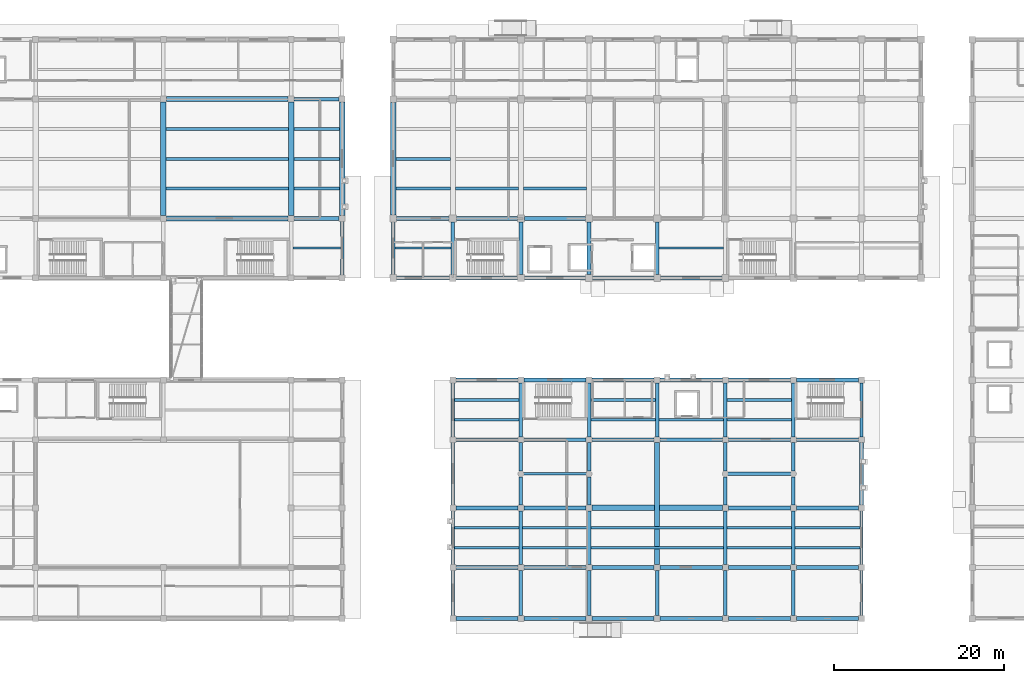
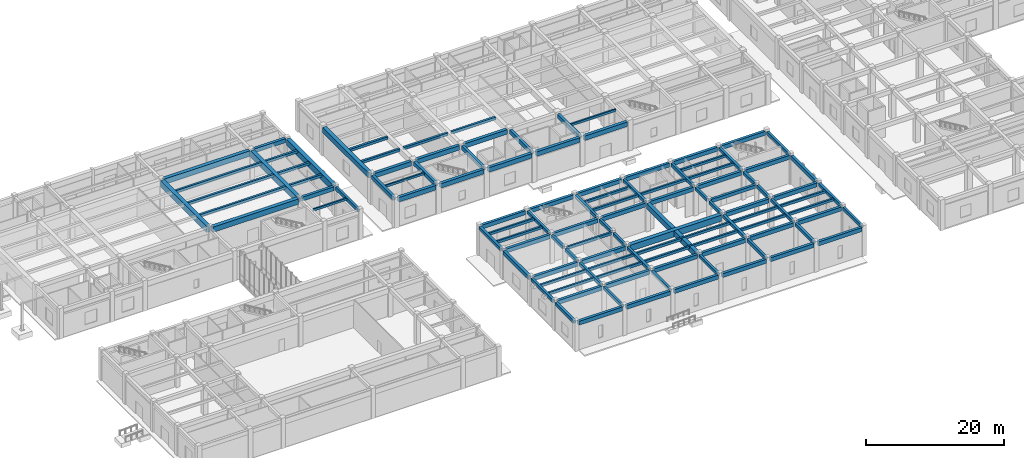
# One storey, part 9 of 40: 114 beams.
"""IFC4 building model written with IfcOpenShell, lengths in metres."""

import ifcopenshell
import ifcopenshell.guid

model = None  # the IFC model being written
_history = None  # IfcOwnerHistory: only IFC2X3 demands one
_inside = {}  # id of a spatial element -> (the spatial element, [elements in it])
_under = {}  # id of a project, library or spatial element -> (it, [spatial elements below it])
_declared = {}  # id of a project -> (the project, [libraries it declares])
_typed = {}  # id of a type object -> (the type object, [elements of that type])
_made_of = {}  # id of a material, layer set ... -> (it, [elements and type objects made of it])


def new_model(schema):
    """Start an empty IFC model of exactly this schema.

    Asked for "IFC4X3", IfcOpenShell would pick the latest addendum, in which some entities
    have other attributes; the version numbers below select the first issue.
    IFC2X3 requires an IfcOwnerHistory on every rooted entity: one is made here for all.
    """
    global model, _history
    if schema == "IFC4X3":
        model = ifcopenshell.file(schema_version=(4, 3, 0, 0))
    else:
        model = ifcopenshell.file(schema=schema)
    _inside.clear()
    _under.clear()
    _declared.clear()
    _typed.clear()
    _made_of.clear()
    _history = None
    if model.schema == "IFC2X3":
        org = make("IfcOrganization", Name="unknown")
        user = make(
            "IfcPersonAndOrganization",
            ThePerson=make("IfcPerson", FamilyName="unknown"),
            TheOrganization=org,
        )
        app = make(
            "IfcApplication",
            ApplicationDeveloper=org,
            Version="unknown",
            ApplicationFullName="unknown",
            ApplicationIdentifier="unknown",
        )
        _history = make(
            "IfcOwnerHistory",
            OwningUser=user,
            OwningApplication=app,
            ChangeAction="ADDED",
            CreationDate=0,
        )
    return model


def make(cls, **values):
    """One entity of the class cls with the attributes given. An attribute that is None is left unset."""
    return model.create_entity(
        cls, **{name: value for name, value in values.items() if value is not None}
    )


def rooted(cls, **values):
    """An entity with a GlobalId (a new one), such as an element, a storey or a relation."""
    return make(cls, GlobalId=ifcopenshell.guid.new(), OwnerHistory=_history, **values)


def si_unit(unit_type, name, prefix=None):
    """IfcSIUnit, for example si_unit("LENGTHUNIT", "METRE", prefix="MILLI")."""
    return make("IfcSIUnit", UnitType=unit_type, Prefix=prefix, Name=name)


def assignment(units):
    """IfcUnitAssignment: the units of a project."""
    return None if units is None else make("IfcUnitAssignment", Units=units)


def point(xyz):
    """IfcCartesianPoint."""
    return None if xyz is None else make("IfcCartesianPoint", Coordinates=xyz)


def direction(xyz):
    """IfcDirection."""
    return None if xyz is None else make("IfcDirection", DirectionRatios=xyz)


def frame(location, z_axis=None, x_axis=None):
    """IfcAxis2Placement3D, a coordinate frame: its origin and axes. An axis left out is left unset."""
    return make(
        "IfcAxis2Placement3D",
        Location=point(location),
        Axis=direction(z_axis),
        RefDirection=direction(x_axis),
    )


def frame_2d(location, x_axis=None):
    """IfcAxis2Placement2D, a coordinate frame in the plane: its origin and x axis."""
    return make(
        "IfcAxis2Placement2D", Location=point(location), RefDirection=direction(x_axis)
    )


def origin():
    """The frame at (0, 0, 0) with its axes left unset."""
    return frame((0.0, 0.0, 0.0))


def origin_2d():
    """The frame at (0, 0) in the plane with its x axis left unset."""
    return frame_2d((0.0, 0.0))


def place(relative_to, where):
    """IfcLocalPlacement: puts the frame where relative to a parent placement (None: the world)."""
    return make(
        "IfcLocalPlacement", PlacementRelTo=relative_to, RelativePlacement=where
    )


def context(
    kind, dimensions, precision=None, world=None, true_north=None, identifier=None
):
    """IfcGeometricRepresentationContext, for example the 3D "Model" context."""
    return make(
        "IfcGeometricRepresentationContext",
        ContextIdentifier=identifier,
        ContextType=kind,
        CoordinateSpaceDimension=dimensions,
        Precision=precision,
        WorldCoordinateSystem=world,
        TrueNorth=true_north,
    )


def subcontext(parent, identifier, kind, view, scale=None):
    """IfcGeometricRepresentationSubContext, for example "Body" below "Model"."""
    return make(
        "IfcGeometricRepresentationSubContext",
        ContextIdentifier=identifier,
        ContextType=kind,
        ParentContext=parent,
        TargetScale=scale,
        TargetView=view,
    )


def project(units=None, contexts=None):
    """IfcProject with its units and contexts."""
    return rooted(
        "IfcProject",
        Name="project",
        RepresentationContexts=contexts,
        UnitsInContext=assignment(units),
    )


def spatial(cls, under=None, at=None, **own):
    """A site, building, storey or space (cls), placed at a placement, below another one or the project."""
    s = rooted(cls, ObjectPlacement=at, **own)
    if under is not None:
        _under.setdefault(under.id(), (under, []))[1].append(s)
    return s


def profile(cls, at=None, kind="AREA", **sizes):
    """A parametric profile (cls). Its sizes go by their IFC names, for example OverallWidth=200.0."""
    return make(cls, ProfileType=kind, Position=at, **sizes)


def rectangle(**sizes):
    """IfcRectangleProfileDef."""
    return profile("IfcRectangleProfileDef", **sizes)


def extrude(swept, where, along, depth):
    """IfcExtrudedAreaSolid: the profile swept, set in the frame where, extruded along a direction by depth."""
    return make(
        "IfcExtrudedAreaSolid",
        SweptArea=swept,
        Position=where,
        ExtrudedDirection=direction(along),
        Depth=depth,
    )


def shape(context_of_items, identifier, shape_type, items):
    """IfcShapeRepresentation: the items that make up one representation, for example the "Body"."""
    return make(
        "IfcShapeRepresentation",
        ContextOfItems=context_of_items,
        RepresentationIdentifier=identifier,
        RepresentationType=shape_type,
        Items=items,
    )


def material(Name=None, Category=None):
    """IfcMaterial."""
    return make("IfcMaterial", Name=Name, Category=Category)


def material_profile(
    of_material, cross_section, Name=None, Category=None, Priority=None
):
    """IfcMaterialProfile: a cross section and its material."""
    return make(
        "IfcMaterialProfile",
        Name=Name,
        Material=of_material,
        Profile=cross_section,
        Priority=Priority,
        Category=Category,
    )


def profile_set(profiles, Name=None, composite=None):
    """IfcMaterialProfileSet."""
    return make(
        "IfcMaterialProfileSet",
        Name=Name,
        MaterialProfiles=profiles,
        CompositeProfile=composite,
    )


def made_of(thing, what):
    """Note that an element or type object is made of a material, layer set ...; save() writes the relation."""
    if what is not None:
        _made_of.setdefault(what.id(), (what, []))[1].append(thing)
    return thing


def type_object(cls, material=None, **own):
    """A type object (cls), such as IfcWallType, which elements share."""
    return made_of(rooted(cls, **own), material)


def element(
    cls,
    number,
    at=None,
    inside=None,
    cuts=None,
    type_object=None,
    material=None,
    context=None,
    identifier="Body",
    shape_type=None,
    held_by="IfcProductDefinitionShape",
    body=None,
    shapes=None,
    **own,
):
    """One element of the class cls, such as IfcWall. Its Tag is "e" and its number.

    at: its placement. inside: the storey or other place that contains it. cuts: it is an
    opening in that element (IfcRelVoidsElement). A single representation is given by context,
    identifier, shape_type and body (its items); several are given by shapes. held_by: the class
    of the entity that holds the representations. save() writes the other relations.
    """
    e = rooted(cls, Tag="e%d" % number, ObjectPlacement=at, **own)
    if body is not None:
        shapes = [shape(context, identifier, shape_type, body)]
    if shapes is not None:
        e.Representation = make(held_by, Representations=shapes)
    if inside is not None:
        _inside.setdefault(inside.id(), (inside, []))[1].append(e)
    if cuts is not None:
        rooted(
            "IfcRelVoidsElement", RelatingBuildingElement=cuts, RelatedOpeningElement=e
        )
    if type_object is not None:
        _typed.setdefault(type_object.id(), (type_object, []))[1].append(e)
    return made_of(e, material)


def aggregate(whole, parts):
    """IfcRelAggregates: a whole, such as a stair, and the parts it consists of."""
    return rooted("IfcRelAggregates", RelatingObject=whole, RelatedObjects=parts)


def save(model, path):
    """Write the relations noted so far, then the file.

    IfcRelAggregates (storeys below a building ...), IfcRelContainedInSpatialStructure (elements
    in a storey), IfcRelDefinesByType, IfcRelAssociatesMaterial and IfcRelDeclares: one each for
    every whole, place, type object, material and project.
    """
    for whole, parts in _under.values():
        aggregate(whole, parts)
    for where, things in _inside.values():
        rooted(
            "IfcRelContainedInSpatialStructure",
            RelatedElements=things,
            RelatingStructure=where,
        )
    for kind, things in _typed.values():
        rooted("IfcRelDefinesByType", RelatedObjects=things, RelatingType=kind)
    for what, things in _made_of.values():
        rooted("IfcRelAssociatesMaterial", RelatedObjects=things, RelatingMaterial=what)
    for by, libraries in _declared.values():
        rooted("IfcRelDeclares", RelatingContext=by, RelatedDefinitions=libraries)
    model.write(path)


model = new_model("IFC4")

# Units and contexts
model_context = context("Model", 3, precision=1e-05, world=origin(), true_north=direction((0.0, 1.0)))
body_context = subcontext(model_context, "Body", "Model", "MODEL_VIEW")
ifc_project = project(units=[si_unit("LENGTHUNIT", "METRE"), si_unit("AREAUNIT", "SQUARE_METRE"), si_unit("VOLUMEUNIT", "CUBIC_METRE"), si_unit("PLANEANGLEUNIT", "RADIAN"), si_unit("MASSUNIT", "GRAM", prefix="KILO")], contexts=[model_context])

# Site, building, storey
site_placement = place(None, origin())
site = spatial("IfcSite", under=ifc_project, at=site_placement, CompositionType="ELEMENT")
building_placement = place(site_placement, origin())
building = spatial("IfcBuilding", under=site, at=building_placement, Name="Naurynzar Civic Courthouse", CompositionType="ELEMENT")
storey_placement = place(building_placement, origin())
storey = spatial("IfcBuildingStorey", under=building, at=storey_placement, Name="L01", CompositionType="ELEMENT", Elevation=0.0)

# Beams
ifc_material_1 = material(Name="Concrete C40/50", Category="concrete")
ifc_material_profile_1 = material_profile(ifc_material_1, rectangle(XDim=0.25, YDim=0.39990234375, at=origin_2d()), Name="RCB 250x400")
ifc_profile_set_1 = profile_set([ifc_material_profile_1], Name="Concrete C40/50")
beam_type_1 = type_object("IfcBeamType", Name="BM-JST-250x400", PredefinedType="JOIST", material=ifc_profile_set_1)
beam_1_placement = place(storey_placement, frame((50.199951171875, 47.5, 4.929931640625), z_axis=(1.0, 0.0, 0.0), x_axis=(0.0, 1.0, 0.0)))
element("IfcBeam", 1, at=beam_1_placement, inside=storey, type_object=beam_type_1, Name="V1 secondary rib 96 L01", PredefinedType="JOIST", context=body_context, shape_type="SweptSolid", body=[
    extrude(rectangle(XDim=0.25, YDim=0.39990234375, at=origin_2d()), origin(), (0.0, 0.0, 1.0), 5.60009765625),
])
beam_2_placement = place(storey_placement, frame((62.22509765625, 47.5, 4.89990234375), z_axis=(1.0, 0.0, 0.0), x_axis=(0.0, 1.0, 0.0)))
element("IfcBeam", 2, at=beam_2_placement, inside=storey, type_object=beam_type_1, Name="V2 secondary rib 432 L01", PredefinedType="JOIST", context=body_context, shape_type="SweptSolid", body=[
    extrude(rectangle(XDim=0.25, YDim=0.39990234375, at=origin_2d()), origin(), (0.0, 0.0, 1.0), 6.5498046875),
])
beam_3_placement = place(storey_placement, frame((93.22509765625, 47.5, 4.89990234375), z_axis=(1.0, 0.0, 0.0), x_axis=(0.0, 1.0, 0.0)))
element("IfcBeam", 3, at=beam_3_placement, inside=storey, type_object=beam_type_1, Name="V2 secondary rib 433 L01", PredefinedType="JOIST", context=body_context, shape_type="SweptSolid", body=[
    extrude(rectangle(XDim=0.25, YDim=0.39990234375, at=origin_2d()), origin(), (0.0, 0.0, 1.0), 7.5498046875),
])
ifc_material_2 = material(Name="Concrete C40/50", Category="concrete")
ifc_material_profile_2 = material_profile(ifc_material_2, rectangle(XDim=0.300048828125, YDim=0.449951171875, at=origin_2d()), Name="RCJ 300x450")
ifc_profile_set_2 = profile_set([ifc_material_profile_2], Name="Concrete C40/50")
beam_type_2 = type_object("IfcBeamType", Name="BM-JST-300x450", PredefinedType="JOIST", material=ifc_profile_set_2)
for number, where, z_axis, x_axis, name in (
    (4, (69.199951171875, 12.333251953125, 4.8349609375), (1.0, 0.0, 0.0), (0.0, 1.0, 0.0), "V3 secondary rib 1323 L01"),
    (5, (69.199951171875, 14.666748046875, 4.8349609375), (1.0, 0.0, 0.0), (0.0, 1.0, 0.0), "V3 secondary rib 1324 L01"),
    (6, (77.199951171875, 12.333251953125, 4.8349609375), (1.0, 0.0, 0.0), (0.0, 1.0, 0.0), "V3 secondary rib 1325 L01"),
    (7, (77.199951171875, 14.666748046875, 4.8349609375), (1.0, 0.0, 0.0), (0.0, 1.0, 0.0), "V3 secondary rib 1326 L01"),
):
    element("IfcBeam", number, at=place(storey_placement, frame(where, z_axis=z_axis, x_axis=x_axis)), inside=storey, type_object=beam_type_2, Name=name, PredefinedType="JOIST", context=body_context, shape_type="SweptSolid", body=[
        extrude(rectangle(XDim=0.300048828125, YDim=0.449951171875, at=origin_2d()), origin(), (0.0, 0.0, 1.0), 7.60009765625),
    ])
for number, where, z_axis, x_axis, name in (
    (8, (85.199951171875, 12.333251953125, 4.8349609375), (1.0, 0.0, 0.0), (0.0, 1.0, 0.0), "V3 secondary rib 1327 L01"),
    (9, (85.199951171875, 14.666748046875, 4.8349609375), (1.0, 0.0, 0.0), (0.0, 1.0, 0.0), "V3 secondary rib 1328 L01"),
):
    element("IfcBeam", number, at=place(storey_placement, frame(where, z_axis=z_axis, x_axis=x_axis)), inside=storey, type_object=beam_type_2, Name=name, PredefinedType="JOIST", context=body_context, shape_type="SweptSolid", body=[
        extrude(rectangle(XDim=0.300048828125, YDim=0.449951171875, at=origin_2d()), origin(), (0.0, 0.0, 1.0), 15.60009765625),
    ])
for number, where, z_axis, x_axis, name in (
    (10, (101.199951171875, 12.333251953125, 4.8349609375), (1.0, 0.0, 0.0), (0.0, 1.0, 0.0), "V3 secondary rib 1329 L01"),
    (11, (101.199951171875, 14.666748046875, 4.8349609375), (1.0, 0.0, 0.0), (0.0, 1.0, 0.0), "V3 secondary rib 1330 L01"),
    (12, (109.199951171875, 12.333251953125, 4.8349609375), (1.0, 0.0, 0.0), (0.0, 1.0, 0.0), "V3 secondary rib 1331 L01"),
    (13, (109.199951171875, 14.666748046875, 4.8349609375), (1.0, 0.0, 0.0), (0.0, 1.0, 0.0), "V3 secondary rib 1332 L01"),
    (14, (69.199951171875, 27.333251953125, 4.8349609375), (1.0, 0.0, 0.0), (0.0, 1.0, 0.0), "V3 secondary rib 1333 L01"),
    (15, (69.199951171875, 29.666748046875, 4.8349609375), (1.0, 0.0, 0.0), (0.0, 1.0, 0.0), "V3 secondary rib 1334 L01"),
    (16, (85.199951171875, 27.333251953125, 4.8349609375), (1.0, 0.0, 0.0), (0.0, 1.0, 0.0), "V3 secondary rib 1335 L01"),
    (17, (85.199951171875, 29.666748046875, 4.8349609375), (1.0, 0.0, 0.0), (0.0, 1.0, 0.0), "V3 secondary rib 1336 L01"),
    (18, (93.199951171875, 27.333251953125, 4.8349609375), (1.0, 0.0, 0.0), (0.0, 1.0, 0.0), "V3 secondary rib 1337 L01"),
    (19, (101.199951171875, 27.333251953125, 4.8349609375), (1.0, 0.0, 0.0), (0.0, 1.0, 0.0), "V3 secondary rib 1338 L01"),
    (20, (101.199951171875, 29.666748046875, 4.8349609375), (1.0, 0.0, 0.0), (0.0, 1.0, 0.0), "V3 secondary rib 1339 L01"),
):
    element("IfcBeam", number, at=place(storey_placement, frame(where, z_axis=z_axis, x_axis=x_axis)), inside=storey, type_object=beam_type_2, Name=name, PredefinedType="JOIST", context=body_context, shape_type="SweptSolid", body=[
        extrude(rectangle(XDim=0.300048828125, YDim=0.449951171875, at=origin_2d()), origin(), (0.0, 0.0, 1.0), 7.60009765625),
    ])
ifc_material_3 = material(Name="Concrete C40/50", Category="concrete")
ifc_material_profile_3 = material_profile(ifc_material_3, rectangle(XDim=0.300048828125, YDim=0.47509765625, at=origin_2d()), Name="RCB 300x475")
ifc_profile_set_3 = profile_set([ifc_material_profile_3], Name="Concrete C40/50")
beam_type_3 = type_object("IfcBeamType", Name="BM-LNT-300x475", PredefinedType="LINTEL", material=ifc_profile_set_3)
beam_4_placement = place(storey_placement, frame((77.25, 21.0, 4.822509765625), z_axis=(1.0, 0.0, 0.0), x_axis=(0.0, 1.0, 0.0)))
element("IfcBeam", 21, at=beam_4_placement, inside=storey, type_object=beam_type_3, Name="Law Library spine lintel beam 3", PredefinedType="LINTEL", context=body_context, shape_type="SweptSolid", body=[
    extrude(rectangle(XDim=0.300048828125, YDim=0.47509765625, at=origin_2d()), origin(), (0.0, 0.0, 1.0), 7.5),
])
ifc_material_4 = material(Name="Concrete C40/50", Category="concrete")
ifc_material_profile_4 = material_profile(ifc_material_4, rectangle(XDim=0.39990234375, YDim=0.60009765625, at=origin_2d()), Name="RCL 400x600")
ifc_profile_set_4 = profile_set([ifc_material_profile_4], Name="Concrete C40/50")
beam_type_4 = type_object("IfcBeamType", Name="BM-LNT-400x600", PredefinedType="LINTEL", material=ifc_profile_set_4)
beam_5_placement = place(storey_placement, frame((101.25, 21.0, 4.760009765625), z_axis=(1.0, 0.0, 0.0), x_axis=(0.0, 1.0, 0.0)))
element("IfcBeam", 22, at=beam_5_placement, inside=storey, type_object=beam_type_4, Name="Law Library spine lintel beam 4", PredefinedType="LINTEL", context=body_context, shape_type="SweptSolid", body=[
    extrude(rectangle(XDim=0.39990234375, YDim=0.60009765625, at=origin_2d()), origin(), (0.0, 0.0, 1.0), 7.5),
])
ifc_material_5 = material(Name="Concrete C40/50", Category="concrete")
ifc_material_profile_5 = material_profile(ifc_material_5, rectangle(XDim=0.60009765625, YDim=0.949951171875, at=origin_2d()), Name="PTB 600x950")
ifc_profile_set_5 = profile_set([ifc_material_profile_5], Name="Concrete C40/50")
beam_type_5 = type_object("IfcBeamType", Name="BM-PT-600x950", PredefinedType="T_BEAM", material=ifc_profile_set_5)
for number, where, z_axis, x_axis, name in (
    (23, (35.35009765625, 51.0, 4.655029296875), (1.0, 0.0, 0.0), (0.0, 1.0, 0.0), "V1 beam X-66 L01"),
    (24, (35.35009765625, 65.0, 4.655029296875), (1.0, 0.0, 0.0), (0.0, 1.0, 0.0), "V1 beam X-71 L01"),
):
    element("IfcBeam", number, at=place(storey_placement, frame(where, z_axis=z_axis, x_axis=x_axis)), inside=storey, type_object=beam_type_5, Name=name, PredefinedType="T_BEAM", context=body_context, shape_type="SweptSolid", body=[
        extrude(rectangle(XDim=0.60009765625, YDim=0.949951171875, at=origin_2d()), origin(), (0.0, 0.0, 1.0), 14.2998046875),
    ])
beam_6_placement = place(storey_placement, frame((62.0, 51.39990234375, 4.625), z_axis=(0.0, 1.0, 0.0), x_axis=(-1.0, 0.0, 0.0)))
element("IfcBeam", 25, at=beam_6_placement, inside=storey, type_object=beam_type_5, Name="V2 girder Y-406 L01", PredefinedType="T_BEAM", context=body_context, shape_type="SweptSolid", body=[
    extrude(rectangle(XDim=0.60009765625, YDim=0.949951171875, at=origin_2d()), origin(), (0.0, 0.0, 1.0), 13.2001953125),
])
beam_7_placement = place(storey_placement, frame((93.0, 10.35009765625, 4.5849609375), z_axis=(0.0, 1.0, 0.0), x_axis=(-1.0, 0.0, 0.0)))
element("IfcBeam", 26, at=beam_7_placement, inside=storey, type_object=beam_type_5, Name="V3 girder Y-1307 L01", PredefinedType="T_BEAM", context=body_context, shape_type="SweptSolid", body=[
    extrude(rectangle(XDim=0.60009765625, YDim=0.949951171875, at=origin_2d()), origin(), (0.0, 0.0, 1.0), 14.2998046875),
])
ifc_material_6 = material(Name="Concrete C40/50", Category="concrete")
ifc_material_profile_6 = material_profile(ifc_material_6, rectangle(XDim=0.64990234375, YDim=1.10009765625, at=origin_2d()), Name="PTB 650x1100")
ifc_profile_set_6 = profile_set([ifc_material_profile_6], Name="Concrete C40/50")
beam_type_6 = type_object("IfcBeamType", Name="BM-PT-650x1100", PredefinedType="T_BEAM", material=ifc_profile_set_6)
for number, where, z_axis, x_axis, name in (
    (27, (35.0, 51.35009765625, 4.580078125), (0.0, 1.0, 0.0), (-1.0, 0.0, 0.0), "V1 girder Y-88 L01"),
    (28, (50.0, 51.35009765625, 4.580078125), (0.0, 1.0, 0.0), (-1.0, 0.0, 0.0), "V1 girder Y-91 L01"),
    (29, (56.0, 51.35009765625, 4.580078125), (0.0, 1.0, 0.0), (-1.0, 0.0, 0.0), "V1 girder Y-94 L01"),
):
    element("IfcBeam", number, at=place(storey_placement, frame(where, z_axis=z_axis, x_axis=x_axis)), inside=storey, type_object=beam_type_6, Name=name, PredefinedType="T_BEAM", context=body_context, shape_type="SweptSolid", body=[
        extrude(rectangle(XDim=0.64990234375, YDim=1.10009765625, at=origin_2d()), origin(), (0.0, 0.0, 1.0), 13.2998046875),
    ])
beam_8_placement = place(storey_placement, frame((85.35009765625, 17.0, 4.510009765625), z_axis=(1.0, 0.0, 0.0), x_axis=(0.0, 1.0, 0.0)))
element("IfcBeam", 30, at=beam_8_placement, inside=storey, type_object=beam_type_6, Name="V3 beam X-1277 L01", PredefinedType="T_BEAM", context=body_context, shape_type="SweptSolid", body=[
    extrude(rectangle(XDim=0.64990234375, YDim=1.10009765625, at=origin_2d()), origin(), (0.0, 0.0, 1.0), 15.2998046875),
])
ifc_material_7 = material(Name="Concrete C40/50", Category="concrete")
ifc_material_profile_7 = material_profile(ifc_material_7, rectangle(XDim=0.35009765625, YDim=0.449951171875, at=origin_2d()), Name="RCB 350x450")
ifc_profile_set_7 = profile_set([ifc_material_profile_7], Name="Concrete C40/50")
beam_type_7 = type_object("IfcBeamType", Name="BM-RC-350x450", PredefinedType="BEAM", material=ifc_profile_set_7)
for number, where, z_axis, x_axis, name in (
    (31, (35.324951171875, 54.5, 4.905029296875), (1.0, 0.0, 0.0), (0.0, 1.0, 0.0), "V1 secondary rib 106 L01"),
    (32, (35.324951171875, 58.0, 4.905029296875), (1.0, 0.0, 0.0), (0.0, 1.0, 0.0), "V1 secondary rib 107 L01"),
    (33, (35.324951171875, 61.5, 4.905029296875), (1.0, 0.0, 0.0), (0.0, 1.0, 0.0), "V1 secondary rib 108 L01"),
):
    element("IfcBeam", number, at=place(storey_placement, frame(where, z_axis=z_axis, x_axis=x_axis)), inside=storey, type_object=beam_type_7, Name=name, PredefinedType="BEAM", context=body_context, shape_type="SweptSolid", body=[
        extrude(rectangle(XDim=0.35009765625, YDim=0.449951171875, at=origin_2d()), origin(), (0.0, 0.0, 1.0), 14.35009765625),
    ])
for number, where, z_axis, x_axis, name in (
    (34, (50.324951171875, 54.5, 4.905029296875), (1.0, 0.0, 0.0), (0.0, 1.0, 0.0), "V1 secondary rib 109 L01"),
    (35, (50.324951171875, 58.0, 4.905029296875), (1.0, 0.0, 0.0), (0.0, 1.0, 0.0), "V1 secondary rib 110 L01"),
    (36, (50.324951171875, 61.5, 4.905029296875), (1.0, 0.0, 0.0), (0.0, 1.0, 0.0), "V1 secondary rib 111 L01"),
):
    element("IfcBeam", number, at=place(storey_placement, frame(where, z_axis=z_axis, x_axis=x_axis)), inside=storey, type_object=beam_type_7, Name=name, PredefinedType="BEAM", context=body_context, shape_type="SweptSolid", body=[
        extrude(rectangle(XDim=0.35009765625, YDim=0.449951171875, at=origin_2d()), origin(), (0.0, 0.0, 1.0), 5.35009765625),
    ])
for number, where, z_axis, x_axis, name in (
    (37, (62.300048828125, 54.5, 4.875), (1.0, 0.0, 0.0), (0.0, 1.0, 0.0), "V2 secondary rib 436 L01"),
    (38, (62.300048828125, 58.0, 4.875), (1.0, 0.0, 0.0), (0.0, 1.0, 0.0), "V2 secondary rib 437 L01"),
):
    element("IfcBeam", number, at=place(storey_placement, frame(where, z_axis=z_axis, x_axis=x_axis)), inside=storey, type_object=beam_type_7, Name=name, PredefinedType="BEAM", context=body_context, shape_type="SweptSolid", body=[
        extrude(rectangle(XDim=0.35009765625, YDim=0.449951171875, at=origin_2d()), origin(), (0.0, 0.0, 1.0), 6.39990234375),
    ])
for number, where, z_axis, x_axis, name in (
    (39, (69.300048828125, 54.5, 4.875), (1.0, 0.0, 0.0), (0.0, 1.0, 0.0), "V2 secondary rib 439 L01"),
    (40, (77.300048828125, 54.5, 4.875), (1.0, 0.0, 0.0), (0.0, 1.0, 0.0), "V2 secondary rib 442 L01"),
):
    element("IfcBeam", number, at=place(storey_placement, frame(where, z_axis=z_axis, x_axis=x_axis)), inside=storey, type_object=beam_type_7, Name=name, PredefinedType="BEAM", context=body_context, shape_type="SweptSolid", body=[
        extrude(rectangle(XDim=0.35009765625, YDim=0.449951171875, at=origin_2d()), origin(), (0.0, 0.0, 1.0), 7.39990234375),
    ])
ifc_material_8 = material(Name="Concrete C40/50", Category="concrete")
ifc_material_profile_8 = material_profile(ifc_material_8, rectangle(XDim=0.39990234375, YDim=0.550048828125, at=origin_2d()), Name="RCB 400x550")
ifc_profile_set_8 = profile_set([ifc_material_profile_8], Name="Concrete C40/50")
beam_type_8 = type_object("IfcBeamType", Name="BM-RC-400x550", PredefinedType="BEAM", material=ifc_profile_set_8)
beam_9_placement = place(storey_placement, frame((69.0, 4.35009765625, 4.784912109375), z_axis=(0.0, 1.0, 0.0), x_axis=(-1.0, 0.0, 0.0)))
element("IfcBeam", 41, at=beam_9_placement, inside=storey, type_object=beam_type_8, Name="V3 girder Y-1292 L01", PredefinedType="BEAM", context=body_context, shape_type="SweptSolid", body=[
    extrude(rectangle(XDim=0.39990234375, YDim=0.550048828125, at=origin_2d()), origin(), (0.0, 0.0, 1.0), 5.2998046875),
])
for number, where, z_axis, x_axis, name in (
    (42, (69.0, 10.35009765625, 4.784912109375), (0.0, 1.0, 0.0), (-1.0, 0.0, 0.0), "V3 girder Y-1293 L01"),
    (43, (69.0, 25.35009765625, 4.784912109375), (0.0, 1.0, 0.0), (-1.0, 0.0, 0.0), "V3 girder Y-1295 L01"),
):
    element("IfcBeam", number, at=place(storey_placement, frame(where, z_axis=z_axis, x_axis=x_axis)), inside=storey, type_object=beam_type_8, Name=name, PredefinedType="BEAM", context=body_context, shape_type="SweptSolid", body=[
        extrude(rectangle(XDim=0.39990234375, YDim=0.550048828125, at=origin_2d()), origin(), (0.0, 0.0, 1.0), 6.2998046875),
    ])
beam_10_placement = place(storey_placement, frame((77.0, 4.35009765625, 4.784912109375), z_axis=(0.0, 1.0, 0.0), x_axis=(-1.0, 0.0, 0.0)))
element("IfcBeam", 44, at=beam_10_placement, inside=storey, type_object=beam_type_8, Name="V3 girder Y-1296 L01", PredefinedType="BEAM", context=body_context, shape_type="SweptSolid", body=[
    extrude(rectangle(XDim=0.39990234375, YDim=0.550048828125, at=origin_2d()), origin(), (0.0, 0.0, 1.0), 5.2998046875),
])
beam_11_placement = place(storey_placement, frame((77.0, 10.35009765625, 4.784912109375), z_axis=(0.0, 1.0, 0.0), x_axis=(-1.0, 0.0, 0.0)))
element("IfcBeam", 45, at=beam_11_placement, inside=storey, type_object=beam_type_8, Name="V3 girder Y-1297 L01", PredefinedType="BEAM", context=body_context, shape_type="SweptSolid", body=[
    extrude(rectangle(XDim=0.39990234375, YDim=0.550048828125, at=origin_2d()), origin(), (0.0, 0.0, 1.0), 6.2998046875),
])
for number, where, z_axis, x_axis, name in (
    (46, (77.0, 17.35009765625, 4.784912109375), (0.0, 1.0, 0.0), (-1.0, 0.0, 0.0), "V3 girder Y-1298 L01"),
    (47, (77.0, 21.35009765625, 4.784912109375), (0.0, 1.0, 0.0), (-1.0, 0.0, 0.0), "V3 girder Y-1299 L01"),
):
    element("IfcBeam", number, at=place(storey_placement, frame(where, z_axis=z_axis, x_axis=x_axis)), inside=storey, type_object=beam_type_8, Name=name, PredefinedType="BEAM", context=body_context, shape_type="SweptSolid", body=[
        extrude(rectangle(XDim=0.39990234375, YDim=0.550048828125, at=origin_2d()), origin(), (0.0, 0.0, 1.0), 3.2998046875),
    ])
beam_12_placement = place(storey_placement, frame((77.0, 25.35009765625, 4.784912109375), z_axis=(0.0, 1.0, 0.0), x_axis=(-1.0, 0.0, 0.0)))
element("IfcBeam", 48, at=beam_12_placement, inside=storey, type_object=beam_type_8, Name="V3 girder Y-1300 L01", PredefinedType="BEAM", context=body_context, shape_type="SweptSolid", body=[
    extrude(rectangle(XDim=0.39990234375, YDim=0.550048828125, at=origin_2d()), origin(), (0.0, 0.0, 1.0), 6.2998046875),
])
beam_13_placement = place(storey_placement, frame((85.0, 4.35009765625, 4.784912109375), z_axis=(0.0, 1.0, 0.0), x_axis=(-1.0, 0.0, 0.0)))
element("IfcBeam", 49, at=beam_13_placement, inside=storey, type_object=beam_type_8, Name="V3 girder Y-1301 L01", PredefinedType="BEAM", context=body_context, shape_type="SweptSolid", body=[
    extrude(rectangle(XDim=0.39990234375, YDim=0.550048828125, at=origin_2d()), origin(), (0.0, 0.0, 1.0), 5.2998046875),
])
beam_14_placement = place(storey_placement, frame((85.0, 10.35009765625, 4.784912109375), z_axis=(0.0, 1.0, 0.0), x_axis=(-1.0, 0.0, 0.0)))
element("IfcBeam", 50, at=beam_14_placement, inside=storey, type_object=beam_type_8, Name="V3 girder Y-1302 L01", PredefinedType="BEAM", context=body_context, shape_type="SweptSolid", body=[
    extrude(rectangle(XDim=0.39990234375, YDim=0.550048828125, at=origin_2d()), origin(), (0.0, 0.0, 1.0), 6.2998046875),
])
for number, where, z_axis, x_axis, name in (
    (51, (85.0, 17.35009765625, 4.784912109375), (0.0, 1.0, 0.0), (-1.0, 0.0, 0.0), "V3 girder Y-1303 L01"),
    (52, (85.0, 21.35009765625, 4.784912109375), (0.0, 1.0, 0.0), (-1.0, 0.0, 0.0), "V3 girder Y-1304 L01"),
):
    element("IfcBeam", number, at=place(storey_placement, frame(where, z_axis=z_axis, x_axis=x_axis)), inside=storey, type_object=beam_type_8, Name=name, PredefinedType="BEAM", context=body_context, shape_type="SweptSolid", body=[
        extrude(rectangle(XDim=0.39990234375, YDim=0.550048828125, at=origin_2d()), origin(), (0.0, 0.0, 1.0), 3.2998046875),
    ])
beam_15_placement = place(storey_placement, frame((85.0, 25.35009765625, 4.784912109375), z_axis=(0.0, 1.0, 0.0), x_axis=(-1.0, 0.0, 0.0)))
element("IfcBeam", 53, at=beam_15_placement, inside=storey, type_object=beam_type_8, Name="V3 girder Y-1305 L01", PredefinedType="BEAM", context=body_context, shape_type="SweptSolid", body=[
    extrude(rectangle(XDim=0.39990234375, YDim=0.550048828125, at=origin_2d()), origin(), (0.0, 0.0, 1.0), 6.2998046875),
])
beam_16_placement = place(storey_placement, frame((93.0, 4.35009765625, 4.784912109375), z_axis=(0.0, 1.0, 0.0), x_axis=(-1.0, 0.0, 0.0)))
element("IfcBeam", 54, at=beam_16_placement, inside=storey, type_object=beam_type_8, Name="V3 girder Y-1306 L01", PredefinedType="BEAM", context=body_context, shape_type="SweptSolid", body=[
    extrude(rectangle(XDim=0.39990234375, YDim=0.550048828125, at=origin_2d()), origin(), (0.0, 0.0, 1.0), 5.2998046875),
])
beam_17_placement = place(storey_placement, frame((93.0, 25.35009765625, 4.784912109375), z_axis=(0.0, 1.0, 0.0), x_axis=(-1.0, 0.0, 0.0)))
element("IfcBeam", 55, at=beam_17_placement, inside=storey, type_object=beam_type_8, Name="V3 girder Y-1308 L01", PredefinedType="BEAM", context=body_context, shape_type="SweptSolid", body=[
    extrude(rectangle(XDim=0.39990234375, YDim=0.550048828125, at=origin_2d()), origin(), (0.0, 0.0, 1.0), 6.2998046875),
])
beam_18_placement = place(storey_placement, frame((101.0, 4.35009765625, 4.784912109375), z_axis=(0.0, 1.0, 0.0), x_axis=(-1.0, 0.0, 0.0)))
element("IfcBeam", 56, at=beam_18_placement, inside=storey, type_object=beam_type_8, Name="V3 girder Y-1309 L01", PredefinedType="BEAM", context=body_context, shape_type="SweptSolid", body=[
    extrude(rectangle(XDim=0.39990234375, YDim=0.550048828125, at=origin_2d()), origin(), (0.0, 0.0, 1.0), 5.2998046875),
])
beam_19_placement = place(storey_placement, frame((101.0, 10.35009765625, 4.784912109375), z_axis=(0.0, 1.0, 0.0), x_axis=(-1.0, 0.0, 0.0)))
element("IfcBeam", 57, at=beam_19_placement, inside=storey, type_object=beam_type_8, Name="V3 girder Y-1310 L01", PredefinedType="BEAM", context=body_context, shape_type="SweptSolid", body=[
    extrude(rectangle(XDim=0.39990234375, YDim=0.550048828125, at=origin_2d()), origin(), (0.0, 0.0, 1.0), 6.2998046875),
])
for number, where, z_axis, x_axis, name in (
    (58, (101.0, 17.35009765625, 4.784912109375), (0.0, 1.0, 0.0), (-1.0, 0.0, 0.0), "V3 girder Y-1311 L01"),
    (59, (101.0, 21.35009765625, 4.784912109375), (0.0, 1.0, 0.0), (-1.0, 0.0, 0.0), "V3 girder Y-1312 L01"),
):
    element("IfcBeam", number, at=place(storey_placement, frame(where, z_axis=z_axis, x_axis=x_axis)), inside=storey, type_object=beam_type_8, Name=name, PredefinedType="BEAM", context=body_context, shape_type="SweptSolid", body=[
        extrude(rectangle(XDim=0.39990234375, YDim=0.550048828125, at=origin_2d()), origin(), (0.0, 0.0, 1.0), 3.2998046875),
    ])
beam_20_placement = place(storey_placement, frame((101.0, 25.35009765625, 4.784912109375), z_axis=(0.0, 1.0, 0.0), x_axis=(-1.0, 0.0, 0.0)))
element("IfcBeam", 60, at=beam_20_placement, inside=storey, type_object=beam_type_8, Name="V3 girder Y-1313 L01", PredefinedType="BEAM", context=body_context, shape_type="SweptSolid", body=[
    extrude(rectangle(XDim=0.39990234375, YDim=0.550048828125, at=origin_2d()), origin(), (0.0, 0.0, 1.0), 6.2998046875),
])
beam_21_placement = place(storey_placement, frame((109.0, 4.35009765625, 4.784912109375), z_axis=(0.0, 1.0, 0.0), x_axis=(-1.0, 0.0, 0.0)))
element("IfcBeam", 61, at=beam_21_placement, inside=storey, type_object=beam_type_8, Name="V3 girder Y-1314 L01", PredefinedType="BEAM", context=body_context, shape_type="SweptSolid", body=[
    extrude(rectangle(XDim=0.39990234375, YDim=0.550048828125, at=origin_2d()), origin(), (0.0, 0.0, 1.0), 5.2998046875),
])
beam_22_placement = place(storey_placement, frame((109.0, 10.35009765625, 4.784912109375), z_axis=(0.0, 1.0, 0.0), x_axis=(-1.0, 0.0, 0.0)))
element("IfcBeam", 62, at=beam_22_placement, inside=storey, type_object=beam_type_8, Name="V3 girder Y-1315 L01", PredefinedType="BEAM", context=body_context, shape_type="SweptSolid", body=[
    extrude(rectangle(XDim=0.39990234375, YDim=0.550048828125, at=origin_2d()), origin(), (0.0, 0.0, 1.0), 6.2998046875),
])
for number, where, z_axis, x_axis, name in (
    (63, (109.0, 17.35009765625, 4.784912109375), (0.0, 1.0, 0.0), (-1.0, 0.0, 0.0), "V3 girder Y-1316 L01"),
    (64, (109.0, 21.35009765625, 4.784912109375), (0.0, 1.0, 0.0), (-1.0, 0.0, 0.0), "V3 girder Y-1317 L01"),
):
    element("IfcBeam", number, at=place(storey_placement, frame(where, z_axis=z_axis, x_axis=x_axis)), inside=storey, type_object=beam_type_8, Name=name, PredefinedType="BEAM", context=body_context, shape_type="SweptSolid", body=[
        extrude(rectangle(XDim=0.39990234375, YDim=0.550048828125, at=origin_2d()), origin(), (0.0, 0.0, 1.0), 3.2998046875),
    ])
beam_23_placement = place(storey_placement, frame((109.0, 25.35009765625, 4.784912109375), z_axis=(0.0, 1.0, 0.0), x_axis=(-1.0, 0.0, 0.0)))
element("IfcBeam", 65, at=beam_23_placement, inside=storey, type_object=beam_type_8, Name="V3 girder Y-1318 L01", PredefinedType="BEAM", context=body_context, shape_type="SweptSolid", body=[
    extrude(rectangle(XDim=0.39990234375, YDim=0.550048828125, at=origin_2d()), origin(), (0.0, 0.0, 1.0), 6.2998046875),
])
beam_24_placement = place(storey_placement, frame((117.0, 4.35009765625, 4.784912109375), z_axis=(0.0, 1.0, 0.0), x_axis=(-1.0, 0.0, 0.0)))
element("IfcBeam", 66, at=beam_24_placement, inside=storey, type_object=beam_type_8, Name="V3 girder Y-1319 L01", PredefinedType="BEAM", context=body_context, shape_type="SweptSolid", body=[
    extrude(rectangle(XDim=0.39990234375, YDim=0.550048828125, at=origin_2d()), origin(), (0.0, 0.0, 1.0), 5.2998046875),
])
for number, where, z_axis, x_axis, name in (
    (67, (117.0, 10.35009765625, 4.784912109375), (0.0, 1.0, 0.0), (-1.0, 0.0, 0.0), "V3 girder Y-1320 L01"),
    (68, (117.0, 25.35009765625, 4.784912109375), (0.0, 1.0, 0.0), (-1.0, 0.0, 0.0), "V3 girder Y-1322 L01"),
):
    element("IfcBeam", number, at=place(storey_placement, frame(where, z_axis=z_axis, x_axis=x_axis)), inside=storey, type_object=beam_type_8, Name=name, PredefinedType="BEAM", context=body_context, shape_type="SweptSolid", body=[
        extrude(rectangle(XDim=0.39990234375, YDim=0.550048828125, at=origin_2d()), origin(), (0.0, 0.0, 1.0), 6.2998046875),
    ])
ifc_material_9 = material(Name="Concrete C40/50", Category="concrete")
ifc_material_profile_9 = material_profile(ifc_material_9, rectangle(XDim=0.39990234375, YDim=0.64990234375, at=origin_2d()), Name="RCB 400x650")
ifc_profile_set_9 = profile_set([ifc_material_profile_9], Name="Concrete C40/50")
beam_type_9 = type_object("IfcBeamType", Name="BM-RC-400x650", PredefinedType="BEAM", material=ifc_profile_set_9)
beam_25_placement = place(storey_placement, frame((56.0, 44.35009765625, 4.804931640625), z_axis=(0.0, 1.0, 0.0), x_axis=(-1.0, 0.0, 0.0)))
element("IfcBeam", 69, at=beam_25_placement, inside=storey, type_object=beam_type_9, Name="V1 girder Y-93 L01", PredefinedType="BEAM", context=body_context, shape_type="SweptSolid", body=[
    extrude(rectangle(XDim=0.39990234375, YDim=0.64990234375, at=origin_2d()), origin(), (0.0, 0.0, 1.0), 6.2998046875),
])
ifc_material_10 = material(Name="Concrete C40/50", Category="concrete")
ifc_material_profile_10 = material_profile(ifc_material_10, rectangle(XDim=0.449951171875, YDim=0.699951171875, at=origin_2d()), Name="RCB 450x700")
ifc_profile_set_10 = profile_set([ifc_material_profile_10], Name="Concrete C40/50")
beam_type_10 = type_object("IfcBeamType", Name="BM-RC-450x700", PredefinedType="BEAM", material=ifc_profile_set_10)
for number, where, z_axis, x_axis, name in (
    (70, (50.35009765625, 51.0, 4.780029296875), (1.0, 0.0, 0.0), (0.0, 1.0, 0.0), "V1 beam X-67 L01"),
    (71, (50.35009765625, 65.0, 4.780029296875), (1.0, 0.0, 0.0), (0.0, 1.0, 0.0), "V1 beam X-72 L01"),
):
    element("IfcBeam", number, at=place(storey_placement, frame(where, z_axis=z_axis, x_axis=x_axis)), inside=storey, type_object=beam_type_10, Name=name, PredefinedType="BEAM", context=body_context, shape_type="SweptSolid", body=[
        extrude(rectangle(XDim=0.449951171875, YDim=0.699951171875, at=origin_2d()), origin(), (0.0, 0.0, 1.0), 5.2998046875),
    ])
beam_26_placement = place(storey_placement, frame((62.0, 44.39990234375, 4.75), z_axis=(0.0, 1.0, 0.0), x_axis=(-1.0, 0.0, 0.0)))
element("IfcBeam", 72, at=beam_26_placement, inside=storey, type_object=beam_type_10, Name="V2 girder Y-405 L01", PredefinedType="BEAM", context=body_context, shape_type="SweptSolid", body=[
    extrude(rectangle(XDim=0.449951171875, YDim=0.699951171875, at=origin_2d()), origin(), (0.0, 0.0, 1.0), 6.2001953125),
])
for number, where, z_axis, x_axis, name in (
    (73, (69.0, 44.39990234375, 4.75), (0.0, 1.0, 0.0), (-1.0, 0.0, 0.0), "V2 girder Y-408 L01"),
    (74, (77.0, 44.39990234375, 4.75), (0.0, 1.0, 0.0), (-1.0, 0.0, 0.0), "V2 girder Y-411 L01"),
    (75, (85.0, 44.39990234375, 4.75), (0.0, 1.0, 0.0), (-1.0, 0.0, 0.0), "V2 girder Y-414 L01"),
    (76, (93.0, 44.39990234375, 4.75), (0.0, 1.0, 0.0), (-1.0, 0.0, 0.0), "V2 girder Y-417 L01"),
):
    element("IfcBeam", number, at=place(storey_placement, frame(where, z_axis=z_axis, x_axis=x_axis)), inside=storey, type_object=beam_type_10, Name=name, PredefinedType="BEAM", context=body_context, shape_type="SweptSolid", body=[
        extrude(rectangle(XDim=0.449951171875, YDim=0.699951171875, at=origin_2d()), origin(), (0.0, 0.0, 1.0), 6.175048828125),
    ])
for number, where, z_axis, x_axis, name in (
    (77, (69.35009765625, 4.0, 4.7099609375), (1.0, 0.0, 0.0), (0.0, 1.0, 0.0), "V3 beam X-1263 L01"),
    (78, (77.35009765625, 4.0, 4.7099609375), (1.0, 0.0, 0.0), (0.0, 1.0, 0.0), "V3 beam X-1264 L01"),
    (79, (85.35009765625, 4.0, 4.7099609375), (1.0, 0.0, 0.0), (0.0, 1.0, 0.0), "V3 beam X-1265 L01"),
    (80, (93.35009765625, 4.0, 4.7099609375), (1.0, 0.0, 0.0), (0.0, 1.0, 0.0), "V3 beam X-1266 L01"),
    (81, (101.35009765625, 4.0, 4.7099609375), (1.0, 0.0, 0.0), (0.0, 1.0, 0.0), "V3 beam X-1267 L01"),
    (82, (109.35009765625, 4.0, 4.7099609375), (1.0, 0.0, 0.0), (0.0, 1.0, 0.0), "V3 beam X-1268 L01"),
    (83, (69.35009765625, 10.0, 4.7099609375), (1.0, 0.0, 0.0), (0.0, 1.0, 0.0), "V3 beam X-1269 L01"),
    (84, (77.35009765625, 10.0, 4.7099609375), (1.0, 0.0, 0.0), (0.0, 1.0, 0.0), "V3 beam X-1270 L01"),
    (85, (85.35009765625, 10.0, 4.7099609375), (1.0, 0.0, 0.0), (0.0, 1.0, 0.0), "V3 beam X-1271 L01"),
    (86, (93.35009765625, 10.0, 4.7099609375), (1.0, 0.0, 0.0), (0.0, 1.0, 0.0), "V3 beam X-1272 L01"),
    (87, (101.35009765625, 10.0, 4.7099609375), (1.0, 0.0, 0.0), (0.0, 1.0, 0.0), "V3 beam X-1273 L01"),
    (88, (109.35009765625, 10.0, 4.7099609375), (1.0, 0.0, 0.0), (0.0, 1.0, 0.0), "V3 beam X-1274 L01"),
    (89, (69.35009765625, 17.0, 4.7099609375), (1.0, 0.0, 0.0), (0.0, 1.0, 0.0), "V3 beam X-1275 L01"),
    (90, (77.35009765625, 17.0, 4.7099609375), (1.0, 0.0, 0.0), (0.0, 1.0, 0.0), "V3 beam X-1276 L01"),
    (91, (101.35009765625, 17.0, 4.7099609375), (1.0, 0.0, 0.0), (0.0, 1.0, 0.0), "V3 beam X-1278 L01"),
    (92, (109.35009765625, 17.0, 4.7099609375), (1.0, 0.0, 0.0), (0.0, 1.0, 0.0), "V3 beam X-1279 L01"),
    (93, (69.35009765625, 25.0, 4.7099609375), (1.0, 0.0, 0.0), (0.0, 1.0, 0.0), "V3 beam X-1280 L01"),
    (94, (77.35009765625, 25.0, 4.7099609375), (1.0, 0.0, 0.0), (0.0, 1.0, 0.0), "V3 beam X-1281 L01"),
    (95, (85.35009765625, 25.0, 4.7099609375), (1.0, 0.0, 0.0), (0.0, 1.0, 0.0), "V3 beam X-1282 L01"),
    (96, (93.35009765625, 25.0, 4.7099609375), (1.0, 0.0, 0.0), (0.0, 1.0, 0.0), "V3 beam X-1283 L01"),
    (97, (101.35009765625, 25.0, 4.7099609375), (1.0, 0.0, 0.0), (0.0, 1.0, 0.0), "V3 beam X-1284 L01"),
    (98, (109.35009765625, 25.0, 4.7099609375), (1.0, 0.0, 0.0), (0.0, 1.0, 0.0), "V3 beam X-1285 L01"),
    (99, (69.35009765625, 32.0, 4.7099609375), (1.0, 0.0, 0.0), (0.0, 1.0, 0.0), "V3 beam X-1286 L01"),
    (100, (77.35009765625, 32.0, 4.7099609375), (1.0, 0.0, 0.0), (0.0, 1.0, 0.0), "V3 beam X-1287 L01"),
    (101, (85.35009765625, 32.0, 4.7099609375), (1.0, 0.0, 0.0), (0.0, 1.0, 0.0), "V3 beam X-1288 L01"),
    (102, (93.35009765625, 32.0, 4.7099609375), (1.0, 0.0, 0.0), (0.0, 1.0, 0.0), "V3 beam X-1289 L01"),
    (103, (101.35009765625, 32.0, 4.7099609375), (1.0, 0.0, 0.0), (0.0, 1.0, 0.0), "V3 beam X-1290 L01"),
    (104, (109.35009765625, 32.0, 4.7099609375), (1.0, 0.0, 0.0), (0.0, 1.0, 0.0), "V3 beam X-1291 L01"),
    (105, (69.0, 17.35009765625, 4.7099609375), (0.0, 1.0, 0.0), (-1.0, 0.0, 0.0), "V3 girder Y-1294 L01"),
    (106, (117.0, 17.35009765625, 4.7099609375), (0.0, 1.0, 0.0), (-1.0, 0.0, 0.0), "V3 girder Y-1321 L01"),
):
    element("IfcBeam", number, at=place(storey_placement, frame(where, z_axis=z_axis, x_axis=x_axis)), inside=storey, type_object=beam_type_10, Name=name, PredefinedType="BEAM", context=body_context, shape_type="SweptSolid", body=[
        extrude(rectangle(XDim=0.449951171875, YDim=0.699951171875, at=origin_2d()), origin(), (0.0, 0.0, 1.0), 7.2998046875),
    ])
ifc_material_11 = material(Name="Concrete C40/50", Category="concrete")
ifc_material_profile_11 = material_profile(ifc_material_11, rectangle(XDim=0.5, YDim=0.800048828125, at=origin_2d()), Name="RCB 500x800")
ifc_profile_set_11 = profile_set([ifc_material_profile_11], Name="Concrete C40/50")
beam_type_11 = type_object("IfcBeamType", Name="BM-RC-500x800", PredefinedType="BEAM", material=ifc_profile_set_11)
beam_27_placement = place(storey_placement, frame((62.39990234375, 44.0, 4.699951171875), z_axis=(1.0, 0.0, 0.0), x_axis=(0.0, 1.0, 0.0)))
element("IfcBeam", 107, at=beam_27_placement, inside=storey, type_object=beam_type_11, Name="V2 beam X-373 L01", PredefinedType="BEAM", context=body_context, shape_type="SweptSolid", body=[
    extrude(rectangle(XDim=0.5, YDim=0.800048828125, at=origin_2d()), origin(), (0.0, 0.0, 1.0), 6.2001953125),
])
for number, where, z_axis, x_axis, name in (
    (108, (69.39990234375, 44.0, 4.699951171875), (1.0, 0.0, 0.0), (0.0, 1.0, 0.0), "V2 beam X-374 L01"),
    (109, (77.39990234375, 44.0, 4.699951171875), (1.0, 0.0, 0.0), (0.0, 1.0, 0.0), "V2 beam X-375 L01"),
    (110, (85.39990234375, 44.0, 4.699951171875), (1.0, 0.0, 0.0), (0.0, 1.0, 0.0), "V2 beam X-376 L01"),
    (111, (93.39990234375, 44.0, 4.699951171875), (1.0, 0.0, 0.0), (0.0, 1.0, 0.0), "V2 beam X-377 L01"),
):
    element("IfcBeam", number, at=place(storey_placement, frame(where, z_axis=z_axis, x_axis=x_axis)), inside=storey, type_object=beam_type_11, Name=name, PredefinedType="BEAM", context=body_context, shape_type="SweptSolid", body=[
        extrude(rectangle(XDim=0.5, YDim=0.800048828125, at=origin_2d()), origin(), (0.0, 0.0, 1.0), 7.2001953125),
    ])
beam_28_placement = place(storey_placement, frame((62.39990234375, 51.0, 4.699951171875), z_axis=(1.0, 0.0, 0.0), x_axis=(0.0, 1.0, 0.0)))
element("IfcBeam", 112, at=beam_28_placement, inside=storey, type_object=beam_type_11, Name="V2 beam X-381 L01", PredefinedType="BEAM", context=body_context, shape_type="SweptSolid", body=[
    extrude(rectangle(XDim=0.5, YDim=0.800048828125, at=origin_2d()), origin(), (0.0, 0.0, 1.0), 6.175048828125),
])
for number, where, z_axis, x_axis, name in (
    (113, (69.425048828125, 51.0, 4.699951171875), (1.0, 0.0, 0.0), (0.0, 1.0, 0.0), "V2 beam X-382 L01"),
    (114, (77.425048828125, 51.0, 4.699951171875), (1.0, 0.0, 0.0), (0.0, 1.0, 0.0), "V2 beam X-383 L01"),
):
    element("IfcBeam", number, at=place(storey_placement, frame(where, z_axis=z_axis, x_axis=x_axis)), inside=storey, type_object=beam_type_11, Name=name, PredefinedType="BEAM", context=body_context, shape_type="SweptSolid", body=[
        extrude(rectangle(XDim=0.5, YDim=0.800048828125, at=origin_2d()), origin(), (0.0, 0.0, 1.0), 7.14990234375),
    ])

save(model, "model.ifc")
